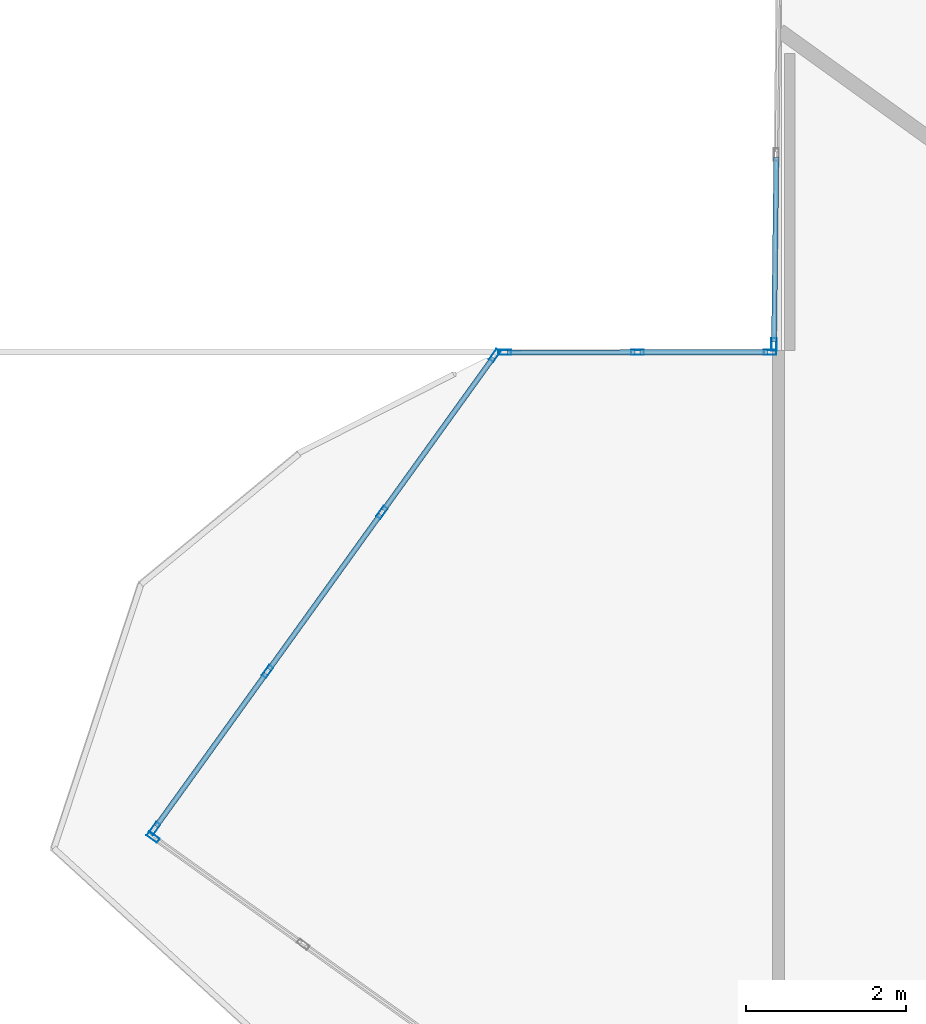
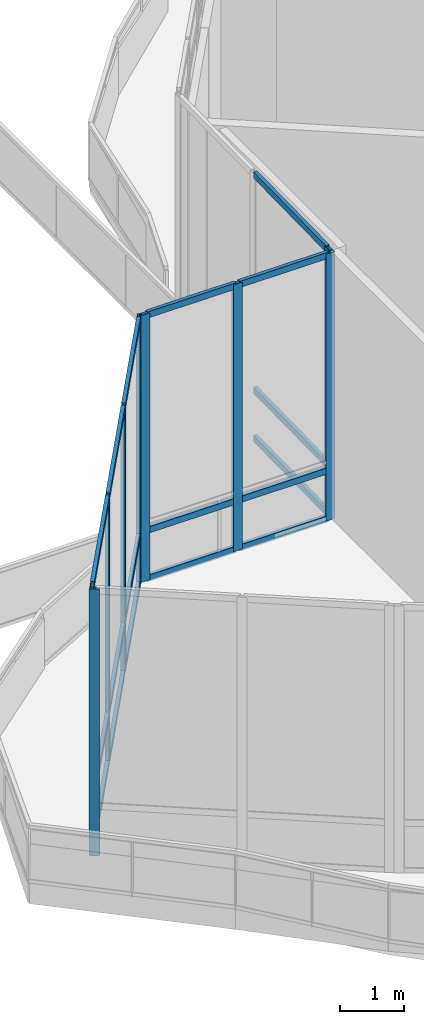
# One storey, part 20 of 158: 27 members, 4 elements without a shape of their own.
"""IFC4 building model written with IfcOpenShell, lengths in metres."""

from ifc_helpers import new_model, si_unit, direction, frame, origin, origin_2d, place, context, subcontext, project, spatial, hollow_rectangle, extrude, material, material_profile, profile_set, type_object, element, aggregate, save


model = new_model("IFC4")

# Units and contexts
model_context = context("Model", 3, precision=1e-05, world=origin(), true_north=direction((0.0, 1.0)))
body_context = subcontext(model_context, "Body", "Model", "MODEL_VIEW")
ifc_project = project(units=[si_unit("LENGTHUNIT", "METRE"), si_unit("AREAUNIT", "SQUARE_METRE"), si_unit("VOLUMEUNIT", "CUBIC_METRE"), si_unit("PLANEANGLEUNIT", "RADIAN"), si_unit("MASSUNIT", "GRAM", prefix="KILO")], contexts=[model_context])

# Site, building, storey
site_placement = place(None, origin())
site = spatial("IfcSite", under=ifc_project, at=site_placement, CompositionType="ELEMENT")
building_placement = place(site_placement, origin())
building = spatial("IfcBuilding", under=site, at=building_placement, Name="Selatvlak General Hospital", CompositionType="ELEMENT")
storey_placement = place(building_placement, origin())
storey = spatial("IfcBuildingStorey", under=building, at=storey_placement, Name="L00", CompositionType="ELEMENT", Elevation=0.0)

# Curtain wall, member
ifc_material_1 = material(Name="Solar-control Low-E double glazing", Category="glass")
curtain_wall_type_1 = type_object("IfcCurtainWallType", Name="CW-CW-02", PredefinedType="USERDEFINED", material=ifc_material_1)
curtain_wall_1_placement = place(storey_placement, origin())
curtain_wall_1 = element("IfcCurtainWall", 1, at=curtain_wall_1_placement, inside=storey, type_object=curtain_wall_type_1, Name="Glazed facade curtain wall CW-L00-0062", ObjectType="UNITISED CURTAIN WALL", PredefinedType="USERDEFINED")
ifc_material_2 = material(Name="Dark anodised aluminium mullion", Category="aluminium")
ifc_material_profile_1 = material_profile(ifc_material_2, hollow_rectangle(XDim=0.06494140625, YDim=0.159912109375, WallThickness=0.00390625, at=origin_2d()), Name="AL-MUL 65x160x4")
ifc_profile_set_1 = profile_set([ifc_material_profile_1], Name="Dark anodised aluminium mullion")
member_type_1 = type_object("IfcMemberType", Name="CWM-01", PredefinedType="MULLION", material=ifc_profile_set_1)
member_1_placement = place(storey_placement, frame((14.95849609375, 25.923095703125, 0.0), z_axis=(0.0, 0.0, 1.0), x_axis=(-0.581802726189, -0.813329937847, 0.0)))
member_1 = element("IfcMember", 2, at=member_1_placement, type_object=member_type_1, Name="CW-02 mullion 3", PredefinedType="MULLION", context=body_context, shape_type="SweptSolid", body=[
    extrude(hollow_rectangle(XDim=0.06494140625, YDim=0.159912109375, WallThickness=0.00390625, at=origin_2d()), origin(), (0.0, 0.0, 1.0), 5.080078125),
])
aggregate(curtain_wall_1, [member_1])

# Curtain wall, members
curtain_wall_type_2 = type_object("IfcCurtainWallType", Name="CW-CW-01", PredefinedType="USERDEFINED", material=ifc_material_1)
curtain_wall_2_placement = place(storey_placement, origin())
curtain_wall_2 = element("IfcCurtainWall", 3, at=curtain_wall_2_placement, inside=storey, type_object=curtain_wall_type_2, Name="Glazed facade curtain wall CW-L00-0063", ObjectType="UNITISED CURTAIN WALL", PredefinedType="USERDEFINED")
member_2_placement = place(storey_placement, frame((14.97705078125, 26.0302734375, 0.0), z_axis=(0.0, 0.0, 1.0), x_axis=(-0.811904820414, 0.583789827411, 0.0)))
member_2 = element("IfcMember", 4, at=member_2_placement, type_object=member_type_1, Name="CW-01 mullion 1", PredefinedType="MULLION", context=body_context, shape_type="SweptSolid", body=[
    extrude(hollow_rectangle(XDim=0.06494140625, YDim=0.159912109375, WallThickness=0.00390625, at=origin_2d()), origin(), (0.0, 0.0, 1.0), 5.080078125),
])
member_3_placement = place(storey_placement, frame((16.39208984375, 27.998291015625, 0.0), z_axis=(0.0, 0.0, 1.0), x_axis=(-0.811904820414, 0.583789827411, 0.0)))
member_3 = element("IfcMember", 5, at=member_3_placement, type_object=member_type_1, Name="CW-01 mullion 2", PredefinedType="MULLION", context=body_context, shape_type="SweptSolid", body=[
    extrude(hollow_rectangle(XDim=0.06494140625, YDim=0.159912109375, WallThickness=0.00390625, at=origin_2d()), origin(), (0.0, 0.0, 1.0), 5.080078125),
])
member_4_placement = place(storey_placement, frame((17.825927734375, 29.99267578125, 0.0), z_axis=(0.0, 0.0, 1.0), x_axis=(-0.811904820414, 0.583789827411, 0.0)))
member_4 = element("IfcMember", 6, at=member_4_placement, type_object=member_type_1, Name="CW-01 mullion 3", PredefinedType="MULLION", context=body_context, shape_type="SweptSolid", body=[
    extrude(hollow_rectangle(XDim=0.06494140625, YDim=0.159912109375, WallThickness=0.00390625, at=origin_2d()), origin(), (0.0, 0.0, 1.0), 5.080078125),
])
member_5_placement = place(storey_placement, frame((19.240966796875, 31.960693359375, 0.0), z_axis=(0.0, 0.0, 1.0), x_axis=(-0.811904820414, 0.583789827411, 0.0)))
member_5 = element("IfcMember", 7, at=member_5_placement, type_object=member_type_1, Name="CW-01 mullion 4", PredefinedType="MULLION", context=body_context, shape_type="SweptSolid", body=[
    extrude(hollow_rectangle(XDim=0.06494140625, YDim=0.159912109375, WallThickness=0.00390625, at=origin_2d()), origin(), (0.0, 0.0, 1.0), 5.080078125),
])

curtain_wall_3_placement = place(storey_placement, origin())
curtain_wall_3 = element("IfcCurtainWall", 8, at=curtain_wall_3_placement, inside=storey, type_object=curtain_wall_type_1, Name="Glazed facade curtain wall CW-L00-0064", ObjectType="UNITISED CURTAIN WALL", PredefinedType="USERDEFINED")
member_6_placement = place(storey_placement, frame((19.366455078125, 31.9990234375, 0.0), z_axis=(0.0, 0.0, 1.0), x_axis=(-0.000294898244, 0.999999956518, 0.0)))
member_6 = element("IfcMember", 9, at=member_6_placement, type_object=member_type_1, Name="CW-02 mullion 1", PredefinedType="MULLION", context=body_context, shape_type="SweptSolid", body=[
    extrude(hollow_rectangle(XDim=0.06494140625, YDim=0.159912109375, WallThickness=0.00390625, at=origin_2d()), origin(), (0.0, 0.0, 1.0), 5.080078125),
])
member_7_placement = place(storey_placement, frame((21.029541015625, 31.99951171875, 0.0), z_axis=(0.0, 0.0, 1.0), x_axis=(-0.000294898244, 0.999999956518, 0.0)))
member_7 = element("IfcMember", 10, at=member_7_placement, type_object=member_type_1, Name="CW-02 mullion 2", PredefinedType="MULLION", context=body_context, shape_type="SweptSolid", body=[
    extrude(hollow_rectangle(XDim=0.06494140625, YDim=0.159912109375, WallThickness=0.00390625, at=origin_2d()), origin(), (0.0, 0.0, 1.0), 5.080078125),
])
member_8_placement = place(storey_placement, frame((22.6923828125, 32.0, 0.0), z_axis=(0.0, 0.0, 1.0), x_axis=(-0.000294898244, 0.999999956518, 0.0)))
member_8 = element("IfcMember", 11, at=member_8_placement, type_object=member_type_1, Name="CW-02 mullion 3", PredefinedType="MULLION", context=body_context, shape_type="SweptSolid", body=[
    extrude(hollow_rectangle(XDim=0.06494140625, YDim=0.159912109375, WallThickness=0.00390625, at=origin_2d()), origin(), (0.0, 0.0, 1.0), 5.080078125),
])

# Curtain wall, member
curtain_wall_4_placement = place(storey_placement, origin())
curtain_wall_4 = element("IfcCurtainWall", 12, at=curtain_wall_4_placement, inside=storey, type_object=curtain_wall_type_2, Name="Glazed facade curtain wall CW-L00-0065", ObjectType="UNITISED CURTAIN WALL", PredefinedType="USERDEFINED")
member_9_placement = place(storey_placement, frame((22.741455078125, 32.097412109375, 0.0), z_axis=(0.0, 0.0, 1.0), x_axis=(-0.999925308571, 0.012221999835, 0.0)))
member_9 = element("IfcMember", 13, at=member_9_placement, type_object=member_type_1, Name="CW-01 mullion 1", PredefinedType="MULLION", context=body_context, shape_type="SweptSolid", body=[
    extrude(hollow_rectangle(XDim=0.06494140625, YDim=0.159912109375, WallThickness=0.00390625, at=origin_2d()), origin(), (0.0, 0.0, 1.0), 5.080078125),
])

# Member
ifc_material_profile_2 = material_profile(ifc_material_2, hollow_rectangle(XDim=0.06494140625, YDim=0.1201171875, WallThickness=0.00390625, at=origin_2d()), Name="AL-TRN 65x120x4")
ifc_profile_set_2 = profile_set([ifc_material_profile_2], Name="Dark anodised aluminium mullion")
member_type_2 = type_object("IfcMemberType", Name="CWT-01", PredefinedType="USERDEFINED", material=ifc_profile_set_2)
member_10_placement = place(storey_placement, frame((14.995849609375, 26.056884765625, 0.032470703125), z_axis=(0.583849294789, 0.811862057849, 0.0), x_axis=(-0.811862057849, 0.583849294789, 0.0)))
member_10 = element("IfcMember", 14, at=member_10_placement, type_object=member_type_2, Name="CW-01 transom 1.1", ObjectType="TRANSOM", PredefinedType="USERDEFINED", context=body_context, shape_type="SweptSolid", body=[
    extrude(hollow_rectangle(XDim=0.06494140625, YDim=0.1201171875, WallThickness=0.00390625, at=origin_2d()), origin(), (0.0, 0.0, 1.0), 2.35888671875),
])

member_11_placement = place(storey_placement, frame((14.995849609375, 26.056884765625, 0.949951171875), z_axis=(0.583849294789, 0.811862057849, 0.0), x_axis=(-0.811862057849, 0.583849294789, 0.0)))
member_11 = element("IfcMember", 15, at=member_11_placement, type_object=member_type_2, Name="CW-01 transom 1.2", ObjectType="TRANSOM", PredefinedType="USERDEFINED", context=body_context, shape_type="SweptSolid", body=[
    extrude(hollow_rectangle(XDim=0.06494140625, YDim=0.1201171875, WallThickness=0.00390625, at=origin_2d()), origin(), (0.0, 0.0, 1.0), 2.35888671875),
])

member_12_placement = place(storey_placement, frame((14.995849609375, 26.056884765625, 5.047607421875), z_axis=(0.583849294789, 0.811862057849, 0.0), x_axis=(-0.811862057849, 0.583849294789, 0.0)))
member_12 = element("IfcMember", 16, at=member_12_placement, type_object=member_type_2, Name="CW-01 transom 1.3", ObjectType="TRANSOM", PredefinedType="USERDEFINED", context=body_context, shape_type="SweptSolid", body=[
    extrude(hollow_rectangle(XDim=0.06494140625, YDim=0.1201171875, WallThickness=0.00390625, at=origin_2d()), origin(), (0.0, 0.0, 1.0), 2.35888671875),
])

member_13_placement = place(storey_placement, frame((16.410888671875, 28.024658203125, 0.032470703125), z_axis=(0.583823242974, 0.811880792336, 0.0), x_axis=(-0.811880792336, 0.583823242974, 0.0)))
member_13 = element("IfcMember", 17, at=member_13_placement, type_object=member_type_2, Name="CW-01 transom 2.1", ObjectType="TRANSOM", PredefinedType="USERDEFINED", context=body_context, shape_type="SweptSolid", body=[
    extrude(hollow_rectangle(XDim=0.06494140625, YDim=0.1201171875, WallThickness=0.00390625, at=origin_2d()), origin(), (0.0, 0.0, 1.0), 2.3916015625),
])

member_14_placement = place(storey_placement, frame((16.410888671875, 28.024658203125, 0.949951171875), z_axis=(0.583823242974, 0.811880792336, 0.0), x_axis=(-0.811880792336, 0.583823242974, 0.0)))
member_14 = element("IfcMember", 18, at=member_14_placement, type_object=member_type_2, Name="CW-01 transom 2.2", ObjectType="TRANSOM", PredefinedType="USERDEFINED", context=body_context, shape_type="SweptSolid", body=[
    extrude(hollow_rectangle(XDim=0.06494140625, YDim=0.1201171875, WallThickness=0.00390625, at=origin_2d()), origin(), (0.0, 0.0, 1.0), 2.3916015625),
])

member_15_placement = place(storey_placement, frame((16.410888671875, 28.024658203125, 5.047607421875), z_axis=(0.583823242974, 0.811880792336, 0.0), x_axis=(-0.811880792336, 0.583823242974, 0.0)))
member_15 = element("IfcMember", 19, at=member_15_placement, type_object=member_type_2, Name="CW-01 transom 2.3", ObjectType="TRANSOM", PredefinedType="USERDEFINED", context=body_context, shape_type="SweptSolid", body=[
    extrude(hollow_rectangle(XDim=0.06494140625, YDim=0.1201171875, WallThickness=0.00390625, at=origin_2d()), origin(), (0.0, 0.0, 1.0), 2.3916015625),
])

member_16_placement = place(storey_placement, frame((17.844970703125, 30.01904296875, 0.032470703125), z_axis=(0.583800237832, 0.811897334832, 0.0), x_axis=(-0.811897334832, 0.583800237832, 0.0)))
member_16 = element("IfcMember", 20, at=member_16_placement, type_object=member_type_2, Name="CW-01 transom 3.1", ObjectType="TRANSOM", PredefinedType="USERDEFINED", context=body_context, shape_type="SweptSolid", body=[
    extrude(hollow_rectangle(XDim=0.06494140625, YDim=0.1201171875, WallThickness=0.00390625, at=origin_2d()), origin(), (0.0, 0.0, 1.0), 2.359130859375),
])

member_17_placement = place(storey_placement, frame((17.844970703125, 30.01904296875, 0.949951171875), z_axis=(0.583800237832, 0.811897334832, 0.0), x_axis=(-0.811897334832, 0.583800237832, 0.0)))
member_17 = element("IfcMember", 21, at=member_17_placement, type_object=member_type_2, Name="CW-01 transom 3.2", ObjectType="TRANSOM", PredefinedType="USERDEFINED", context=body_context, shape_type="SweptSolid", body=[
    extrude(hollow_rectangle(XDim=0.06494140625, YDim=0.1201171875, WallThickness=0.00390625, at=origin_2d()), origin(), (0.0, 0.0, 1.0), 2.359130859375),
])

member_18_placement = place(storey_placement, frame((17.844970703125, 30.01904296875, 5.047607421875), z_axis=(0.583800237832, 0.811897334832, 0.0), x_axis=(-0.811897334832, 0.583800237832, 0.0)))
member_18 = element("IfcMember", 22, at=member_18_placement, type_object=member_type_2, Name="CW-01 transom 3.3", ObjectType="TRANSOM", PredefinedType="USERDEFINED", context=body_context, shape_type="SweptSolid", body=[
    extrude(hollow_rectangle(XDim=0.06494140625, YDim=0.1201171875, WallThickness=0.00390625, at=origin_2d()), origin(), (0.0, 0.0, 1.0), 2.359130859375),
])

aggregate(curtain_wall_2, [member_2, member_3, member_4, member_5, member_10, member_11, member_12, member_13, member_14, member_15, member_16, member_17, member_18])

member_19_placement = place(storey_placement, frame((19.39892578125, 31.9990234375, 0.032470703125), z_axis=(0.999999953326, 0.00030553008, 0.0), x_axis=(-0.00030553008, 0.999999953326, 0.0)))
member_19 = element("IfcMember", 23, at=member_19_placement, type_object=member_type_2, Name="CW-02 transom 1.1", ObjectType="TRANSOM", PredefinedType="USERDEFINED", context=body_context, shape_type="SweptSolid", body=[
    extrude(hollow_rectangle(XDim=0.06494140625, YDim=0.1201171875, WallThickness=0.00390625, at=origin_2d()), origin(), (0.0, 0.0, 1.0), 1.59814453125),
])

member_20_placement = place(storey_placement, frame((19.39892578125, 31.9990234375, 0.949951171875), z_axis=(0.999999953326, 0.00030553008, 0.0), x_axis=(-0.00030553008, 0.999999953326, 0.0)))
member_20 = element("IfcMember", 24, at=member_20_placement, type_object=member_type_2, Name="CW-02 transom 1.2", ObjectType="TRANSOM", PredefinedType="USERDEFINED", context=body_context, shape_type="SweptSolid", body=[
    extrude(hollow_rectangle(XDim=0.06494140625, YDim=0.1201171875, WallThickness=0.00390625, at=origin_2d()), origin(), (0.0, 0.0, 1.0), 1.59814453125),
])

member_21_placement = place(storey_placement, frame((19.39892578125, 31.9990234375, 5.047607421875), z_axis=(0.999999953326, 0.00030553008, 0.0), x_axis=(-0.00030553008, 0.999999953326, 0.0)))
member_21 = element("IfcMember", 25, at=member_21_placement, type_object=member_type_2, Name="CW-02 transom 1.3", ObjectType="TRANSOM", PredefinedType="USERDEFINED", context=body_context, shape_type="SweptSolid", body=[
    extrude(hollow_rectangle(XDim=0.06494140625, YDim=0.1201171875, WallThickness=0.00390625, at=origin_2d()), origin(), (0.0, 0.0, 1.0), 1.59814453125),
])

member_22_placement = place(storey_placement, frame((21.06201171875, 31.99951171875, 0.032470703125), z_axis=(0.999999953311, 0.000305576762, 0.0), x_axis=(-0.000305576762, 0.999999953311, 0.0)))
member_22 = element("IfcMember", 26, at=member_22_placement, type_object=member_type_2, Name="CW-02 transom 2.1", ObjectType="TRANSOM", PredefinedType="USERDEFINED", context=body_context, shape_type="SweptSolid", body=[
    extrude(hollow_rectangle(XDim=0.06494140625, YDim=0.1201171875, WallThickness=0.00390625, at=origin_2d()), origin(), (0.0, 0.0, 1.0), 1.597900390625),
])

member_23_placement = place(storey_placement, frame((21.06201171875, 31.99951171875, 0.949951171875), z_axis=(0.999999953311, 0.000305576762, 0.0), x_axis=(-0.000305576762, 0.999999953311, 0.0)))
member_23 = element("IfcMember", 27, at=member_23_placement, type_object=member_type_2, Name="CW-02 transom 2.2", ObjectType="TRANSOM", PredefinedType="USERDEFINED", context=body_context, shape_type="SweptSolid", body=[
    extrude(hollow_rectangle(XDim=0.06494140625, YDim=0.1201171875, WallThickness=0.00390625, at=origin_2d()), origin(), (0.0, 0.0, 1.0), 1.597900390625),
])

member_24_placement = place(storey_placement, frame((21.06201171875, 31.99951171875, 5.047607421875), z_axis=(0.999999953311, 0.000305576762, 0.0), x_axis=(-0.000305576762, 0.999999953311, 0.0)))
member_24 = element("IfcMember", 28, at=member_24_placement, type_object=member_type_2, Name="CW-02 transom 2.3", ObjectType="TRANSOM", PredefinedType="USERDEFINED", context=body_context, shape_type="SweptSolid", body=[
    extrude(hollow_rectangle(XDim=0.06494140625, YDim=0.1201171875, WallThickness=0.00390625, at=origin_2d()), origin(), (0.0, 0.0, 1.0), 1.597900390625),
])

aggregate(curtain_wall_3, [member_6, member_7, member_8, member_19, member_20, member_21, member_22, member_23, member_24])

member_25_placement = place(storey_placement, frame((22.74169921875, 32.1298828125, 0.032470703125), z_axis=(0.012226344433, 0.999925255458, 0.0), x_axis=(-0.999925255458, 0.012226344433, 0.0)))
member_25 = element("IfcMember", 29, at=member_25_placement, type_object=member_type_2, Name="CW-01 transom 1.1", ObjectType="TRANSOM", PredefinedType="USERDEFINED", context=body_context, shape_type="SweptSolid", body=[
    extrude(hollow_rectangle(XDim=0.06494140625, YDim=0.1201171875, WallThickness=0.00390625, at=origin_2d()), origin(), (0.0, 0.0, 1.0), 2.31640625),
])

member_26_placement = place(storey_placement, frame((22.74169921875, 32.1298828125, 0.949951171875), z_axis=(0.012226344433, 0.999925255458, 0.0), x_axis=(-0.999925255458, 0.012226344433, 0.0)))
member_26 = element("IfcMember", 30, at=member_26_placement, type_object=member_type_2, Name="CW-01 transom 1.2", ObjectType="TRANSOM", PredefinedType="USERDEFINED", context=body_context, shape_type="SweptSolid", body=[
    extrude(hollow_rectangle(XDim=0.06494140625, YDim=0.1201171875, WallThickness=0.00390625, at=origin_2d()), origin(), (0.0, 0.0, 1.0), 2.31640625),
])

member_27_placement = place(storey_placement, frame((22.74169921875, 32.1298828125, 5.047607421875), z_axis=(0.012226344433, 0.999925255458, 0.0), x_axis=(-0.999925255458, 0.012226344433, 0.0)))
member_27 = element("IfcMember", 31, at=member_27_placement, type_object=member_type_2, Name="CW-01 transom 1.3", ObjectType="TRANSOM", PredefinedType="USERDEFINED", context=body_context, shape_type="SweptSolid", body=[
    extrude(hollow_rectangle(XDim=0.06494140625, YDim=0.1201171875, WallThickness=0.00390625, at=origin_2d()), origin(), (0.0, 0.0, 1.0), 2.31640625),
])

aggregate(curtain_wall_4, [member_9, member_25, member_26, member_27])

save(model, "model.ifc")
